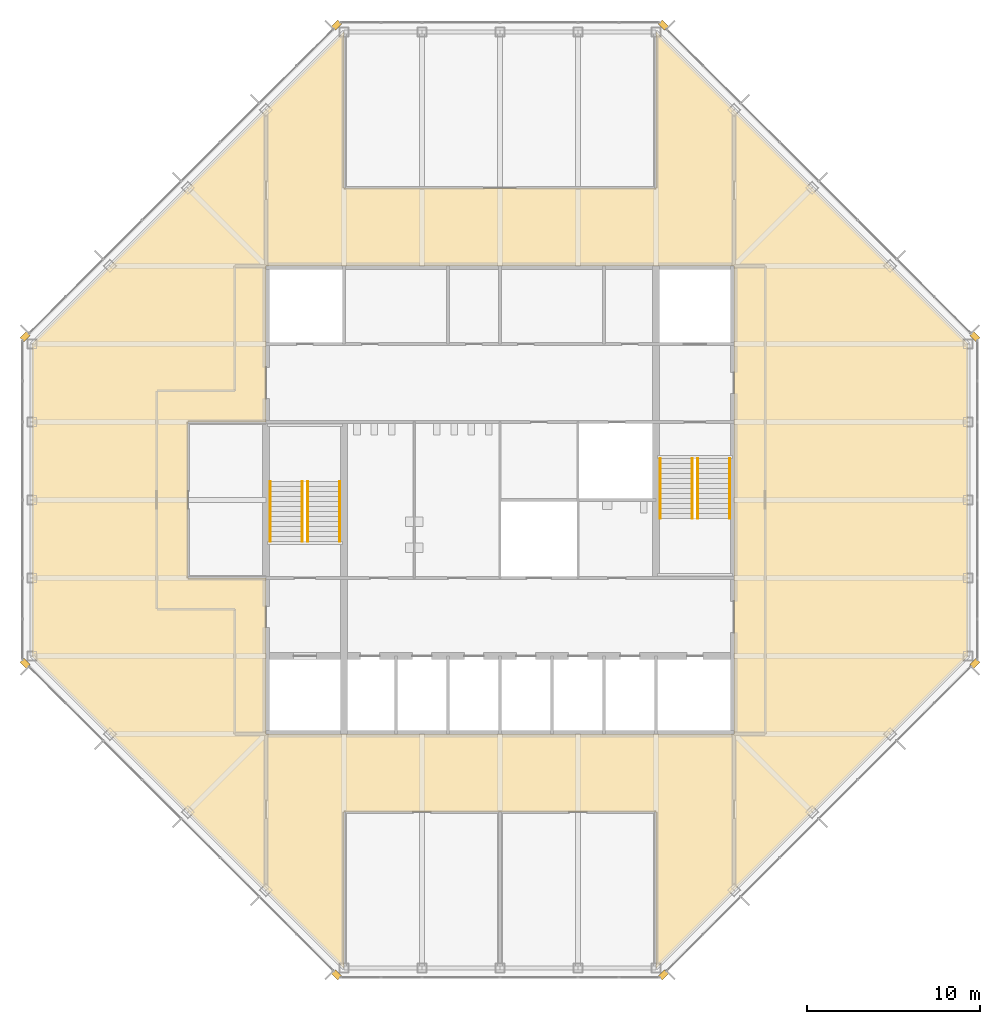
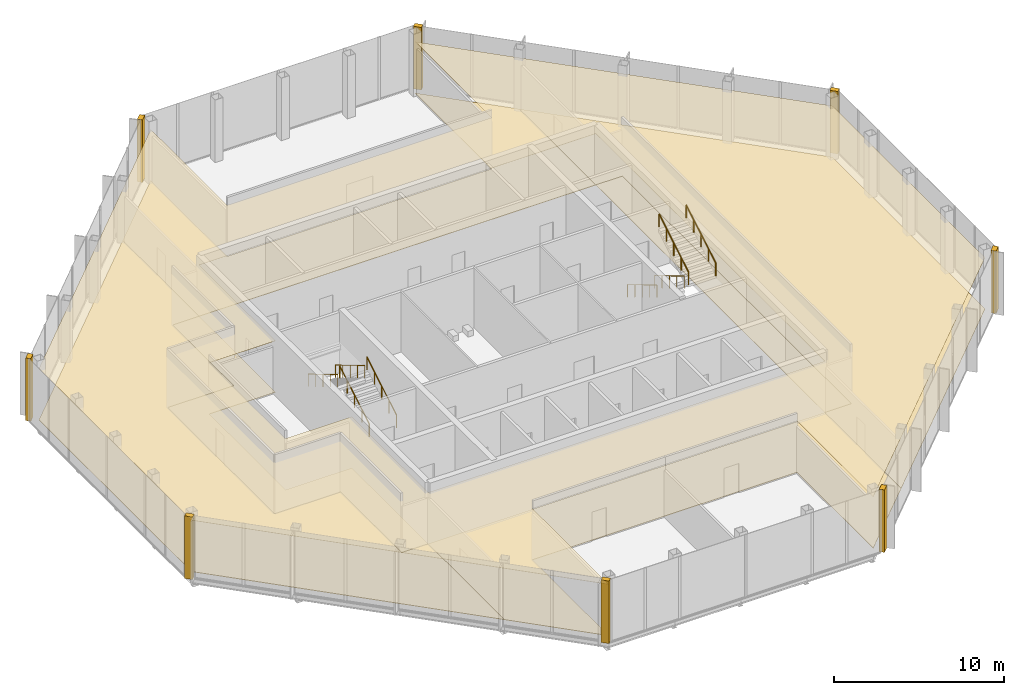
# One storey, part 12 of 13: 15 coverings, 8 railings.
"""IFC4 building model written with IfcOpenShell, lengths in metres."""

from ifc_helpers import new_model, si_unit, direction, frame, origin, origin_2d, place, context, subcontext, project, spatial, polyline, circle, outline, extrude, material, layer, layer_set, type_object, element, save


model = new_model("IFC4")

# Units and contexts
model_context = context("Model", 3, precision=1e-05, world=origin(), true_north=direction((0.0, 1.0)))
body_context = subcontext(model_context, "Body", "Model", "MODEL_VIEW")
ifc_project = project(units=[si_unit("LENGTHUNIT", "METRE"), si_unit("AREAUNIT", "SQUARE_METRE"), si_unit("VOLUMEUNIT", "CUBIC_METRE"), si_unit("PLANEANGLEUNIT", "RADIAN"), si_unit("MASSUNIT", "GRAM", prefix="KILO")], contexts=[model_context])

# Site, building, storey
site_placement = place(None, origin())
site = spatial("IfcSite", under=ifc_project, at=site_placement, CompositionType="ELEMENT")
building_placement = place(site_placement, origin())
building = spatial("IfcBuilding", under=site, at=building_placement, Name="Corais Broadcast Tower", CompositionType="ELEMENT")
storey_placement = place(building_placement, frame((0.0, 0.0, 310.60009765625)))
storey = spatial("IfcBuildingStorey", under=building, at=storey_placement, Name="L73", CompositionType="ELEMENT", Elevation=310.60009765625)

# Railings
ifc_material_1 = material(Name="Stainless steel handrail", Category="steel")
railing_type = type_object("IfcRailingType", Name="Handrail 920", PredefinedType="HANDRAIL", material=ifc_material_1)
for number, where, name in (
    (1, (17.75, 24.60009765625, 0.173095703125), "HR1 L73"),
    (2, (15.89990234375, 24.60009765625, 0.173095703125), "HR1 L73"),
):
    element("IfcRailing", number, at=place(storey_placement, frame(where)), inside=storey, type_object=railing_type, Name=name, PredefinedType="HANDRAIL", context=body_context, shape_type="SweptSolid", body=[
        extrude(circle(Radius=0.02392578125, at=origin_2d()), frame((0.0, 0.0, 0.89599609375), z_axis=(0.0, 0.857918952942, 0.513785042779), x_axis=(-1.0, 0.0, 0.0)), (0.0, 0.0, 1.0), 4.04248046875),
        extrude(circle(Radius=0.02099609375, at=origin_2d()), origin(), (0.0, 0.0, 1.0), 0.871826171875),
        extrude(circle(Radius=0.02099609375, at=origin_2d()), frame((0.0, 0.866943359375, 0.519287109375)), (0.0, 0.0, 1.0), 0.871826171875),
        extrude(circle(Radius=0.02099609375, at=origin_2d()), frame((0.0, 1.73388671875, 1.03857421875)), (0.0, 0.0, 1.0), 0.871826171875),
        extrude(circle(Radius=0.02099609375, at=origin_2d()), frame((0.0, 2.60107421875, 1.5576171875)), (0.0, 0.0, 1.0), 0.871826171875),
        extrude(circle(Radius=0.02099609375, at=origin_2d()), frame((0.0, 3.468017578125, 2.076904296875)), (0.0, 0.0, 1.0), 0.871826171875),
    ])
for number, where, name in (
    (3, (13.75, 28.068115234375, 2.423095703125), "HR1 L73"),
    (4, (15.60009765625, 28.068115234375, 2.423095703125), "HR1 L73"),
    (5, (36.25, 29.39990234375, 0.173095703125), "HR1 L73"),
    (6, (38.10009765625, 29.39990234375, 0.173095703125), "HR1 L73"),
):
    element("IfcRailing", number, at=place(storey_placement, frame(where)), inside=storey, type_object=railing_type, Name=name, PredefinedType="HANDRAIL", context=body_context, shape_type="SweptSolid", body=[
        extrude(circle(Radius=0.02392578125, at=origin_2d()), frame((0.0, 0.0, 0.89599609375), z_axis=(0.0, -0.857918952942, 0.513785042779), x_axis=(1.0, 0.0, 0.0)), (0.0, 0.0, 1.0), 4.04248046875),
        extrude(circle(Radius=0.02099609375, at=origin_2d()), origin(), (0.0, 0.0, 1.0), 0.871826171875),
        extrude(circle(Radius=0.02099609375, at=origin_2d()), frame((0.0, -0.866943359375, 0.519287109375)), (0.0, 0.0, 1.0), 0.871826171875),
        extrude(circle(Radius=0.02099609375, at=origin_2d()), frame((0.0, -1.73388671875, 1.03857421875)), (0.0, 0.0, 1.0), 0.871826171875),
        extrude(circle(Radius=0.02099609375, at=origin_2d()), frame((0.0, -2.60107421875, 1.5576171875)), (0.0, 0.0, 1.0), 0.871826171875),
        extrude(circle(Radius=0.02099609375, at=origin_2d()), frame((0.0, -3.468017578125, 2.076904296875)), (0.0, 0.0, 1.0), 0.871826171875),
    ])
for number, where, name in (
    (7, (40.25, 25.931884765625, 2.423095703125), "HR1 L73"),
    (8, (38.39990234375, 25.931884765625, 2.423095703125), "HR1 L73"),
):
    element("IfcRailing", number, at=place(storey_placement, frame(where)), inside=storey, type_object=railing_type, Name=name, PredefinedType="HANDRAIL", context=body_context, shape_type="SweptSolid", body=[
        extrude(circle(Radius=0.02392578125, at=origin_2d()), frame((0.0, 0.0, 0.89599609375), z_axis=(0.0, 0.857918952942, 0.513785042779), x_axis=(-1.0, 0.0, 0.0)), (0.0, 0.0, 1.0), 4.04248046875),
        extrude(circle(Radius=0.02099609375, at=origin_2d()), origin(), (0.0, 0.0, 1.0), 0.871826171875),
        extrude(circle(Radius=0.02099609375, at=origin_2d()), frame((0.0, 0.866943359375, 0.519287109375)), (0.0, 0.0, 1.0), 0.871826171875),
        extrude(circle(Radius=0.02099609375, at=origin_2d()), frame((0.0, 1.73388671875, 1.03857421875)), (0.0, 0.0, 1.0), 0.871826171875),
        extrude(circle(Radius=0.02099609375, at=origin_2d()), frame((0.0, 2.60107421875, 1.5576171875)), (0.0, 0.0, 1.0), 0.871826171875),
        extrude(circle(Radius=0.02099609375, at=origin_2d()), frame((0.0, 3.468017578125, 2.076904296875)), (0.0, 0.0, 1.0), 0.871826171875),
    ])

# Coverings
ifc_material_2 = material(Name="Granite stone cladding", Category="masonry")
ifc_layer_1 = layer(ifc_material_2, 0.324951171875)
ifc_layer_set_1 = layer_set([ifc_layer_1], Name="Granite stone cladding")
covering_type_1 = type_object("IfcCoveringType", Name="Stone corner pier cladding 500x325", PredefinedType="CLADDING", material=ifc_layer_set_1)
covering_1_placement = place(storey_placement, origin())
element("IfcCovering", 9, at=covering_1_placement, inside=storey, type_object=covering_type_1, Name="SP1 stone corner pier L73", PredefinedType="CLADDING", context=body_context, shape_type="SweptSolid", body=[
    extrude(outline(polyline([(17.860595703125, -0.461669921875), (17.507080078125, -0.108154296875), (17.277099609375, -0.337890625), (17.630859375, -0.69140625), (17.860595703125, -0.461669921875)])), origin(), (0.0, 0.0, 1.0), 4.5),
])
covering_2_placement = place(storey_placement, origin())
element("IfcCovering", 10, at=covering_2_placement, inside=storey, type_object=covering_type_1, Name="SP1 stone corner pier L73", PredefinedType="CLADDING", context=body_context, shape_type="SweptSolid", body=[
    extrude(outline(polyline([(-0.461669921875, 17.860595703125), (-0.69140625, 17.630859375), (-0.337890625, 17.277099609375), (-0.108154296875, 17.507080078125), (-0.461669921875, 17.860595703125)])), origin(), (0.0, 0.0, 1.0), 4.5),
])
covering_3_placement = place(storey_placement, origin())
element("IfcCovering", 11, at=covering_3_placement, inside=storey, type_object=covering_type_1, Name="SP1 stone corner pier L73", PredefinedType="CLADDING", context=body_context, shape_type="SweptSolid", body=[
    extrude(outline(polyline([(-0.461669921875, 36.139404296875), (-0.108154296875, 36.492919921875), (-0.337890625, 36.722900390625), (-0.69140625, 36.369140625), (-0.461669921875, 36.139404296875)])), origin(), (0.0, 0.0, 1.0), 4.5),
])
covering_4_placement = place(storey_placement, origin())
element("IfcCovering", 12, at=covering_4_placement, inside=storey, type_object=covering_type_1, Name="SP1 stone corner pier L73", PredefinedType="CLADDING", context=body_context, shape_type="SweptSolid", body=[
    extrude(outline(polyline([(17.860595703125, 54.461669921875), (17.630859375, 54.69140625), (17.277099609375, 54.337890625), (17.507080078125, 54.108154296875), (17.860595703125, 54.461669921875)])), origin(), (0.0, 0.0, 1.0), 4.5),
])
covering_5_placement = place(storey_placement, origin())
element("IfcCovering", 13, at=covering_5_placement, inside=storey, type_object=covering_type_1, Name="SP1 stone corner pier L73", PredefinedType="CLADDING", context=body_context, shape_type="SweptSolid", body=[
    extrude(outline(polyline([(36.139404296875, 54.461669921875), (36.492919921875, 54.108154296875), (36.722900390625, 54.337890625), (36.369140625, 54.69140625), (36.139404296875, 54.461669921875)])), origin(), (0.0, 0.0, 1.0), 4.5),
])
covering_6_placement = place(storey_placement, origin())
element("IfcCovering", 14, at=covering_6_placement, inside=storey, type_object=covering_type_1, Name="SP1 stone corner pier L73", PredefinedType="CLADDING", context=body_context, shape_type="SweptSolid", body=[
    extrude(outline(polyline([(54.461669921875, 36.139404296875), (54.69140625, 36.369140625), (54.337890625, 36.722900390625), (54.108154296875, 36.492919921875), (54.461669921875, 36.139404296875)])), origin(), (0.0, 0.0, 1.0), 4.5),
])
covering_7_placement = place(storey_placement, origin())
element("IfcCovering", 15, at=covering_7_placement, inside=storey, type_object=covering_type_1, Name="SP1 stone corner pier L73", PredefinedType="CLADDING", context=body_context, shape_type="SweptSolid", body=[
    extrude(outline(polyline([(54.461669921875, 17.860595703125), (54.108154296875, 17.507080078125), (54.337890625, 17.277099609375), (54.69140625, 17.630859375), (54.461669921875, 17.860595703125)])), origin(), (0.0, 0.0, 1.0), 4.5),
])
covering_8_placement = place(storey_placement, origin())
element("IfcCovering", 16, at=covering_8_placement, inside=storey, type_object=covering_type_1, Name="SP1 stone corner pier L73", PredefinedType="CLADDING", context=body_context, shape_type="SweptSolid", body=[
    extrude(outline(polyline([(36.139404296875, -0.461669921875), (36.369140625, -0.69140625), (36.722900390625, -0.337890625), (36.492919921875, -0.108154296875), (36.139404296875, -0.461669921875)])), origin(), (0.0, 0.0, 1.0), 4.5),
])
ifc_material_3 = material(Name="Granite stone flooring", Category="masonry")
ifc_layer_2 = layer(ifc_material_3, 0.030029296875)
ifc_layer_set_2 = layer_set([ifc_layer_2], Name="Granite stone flooring")
covering_type_2 = type_object("IfcCoveringType", Name="Stone floor finish", PredefinedType="FLOORING", material=ifc_layer_set_2)
covering_9_placement = place(storey_placement, origin())
element("IfcCovering", 17, at=covering_9_placement, inside=storey, type_object=covering_type_2, Name="FF1 floor finish L73", PredefinedType="FLOORING", context=body_context, shape_type="SweptSolid", body=[
    extrude(outline(polyline([(18.0, 45.0), (36.0, 45.0), (36.0, 54.0), (40.5, 49.5), (40.5, 40.5), (13.5, 40.5), (13.5, 49.5), (18.0, 54.0), (18.0, 45.0)])), origin(), (0.0, 0.0, 1.0), 0.02978515625),
])
covering_10_placement = place(storey_placement, origin())
element("IfcCovering", 18, at=covering_10_placement, inside=storey, type_object=covering_type_2, Name="FF1 floor finish L73", PredefinedType="FLOORING", context=body_context, shape_type="SweptSolid", body=[
    extrude(outline(polyline([(54.0, 36.0), (54.0, 18.0), (40.5, 4.5), (40.5, 13.5), (42.300048828125, 13.5), (42.300048828125, 40.5), (40.5, 40.5), (40.5, 49.5), (54.0, 36.0)])), origin(), (0.0, 0.0, 1.0), 0.02978515625),
])
covering_11_placement = place(storey_placement, origin())
element("IfcCovering", 19, at=covering_11_placement, inside=storey, type_object=covering_type_2, Name="FF1 floor finish L73", PredefinedType="FLOORING", context=body_context, shape_type="SweptSolid", body=[
    extrude(outline(polyline([(36.0, 0.0), (36.0, 9.0), (27.0, 9.0), (18.0, 9.0), (18.0, 0.0), (13.5, 4.5), (13.5, 13.5), (40.5, 13.5), (40.5, 4.5), (36.0, 0.0)])), origin(), (0.0, 0.0, 1.0), 0.02978515625),
])
covering_12_placement = place(storey_placement, origin())
element("IfcCovering", 20, at=covering_12_placement, inside=storey, type_object=covering_type_2, Name="FF1 floor finish L73", PredefinedType="FLOORING", context=body_context, shape_type="SweptSolid", body=[
    extrude(outline(polyline([(0.0, 18.0), (0.0, 36.0), (13.5, 49.5), (13.5, 40.5), (11.699951171875, 40.5), (11.699951171875, 33.300048828125), (7.199951171875, 33.300048828125), (7.199951171875, 20.699951171875), (11.699951171875, 20.699951171875), (11.699951171875, 13.5), (13.5, 13.5), (13.5, 4.5), (0.0, 18.0)])), origin(), (0.0, 0.0, 1.0), 0.02978515625),
])
covering_13_placement = place(storey_placement, origin())
element("IfcCovering", 21, at=covering_13_placement, inside=storey, type_object=covering_type_2, Name="FF1 floor finish L73", PredefinedType="FLOORING", context=body_context, shape_type="SweptSolid", body=[
    extrude(outline(polyline([(9.0, 31.5), (9.0, 22.5), (13.5, 22.5), (13.5, 13.5), (11.699951171875, 13.5), (11.699951171875, 20.699951171875), (7.199951171875, 20.699951171875), (7.199951171875, 33.300048828125), (11.699951171875, 33.300048828125), (11.699951171875, 40.5), (13.5, 40.5), (13.5, 31.5), (9.0, 31.5)])), origin(), (0.0, 0.0, 1.0), 0.02978515625),
])
covering_14_placement = place(storey_placement, origin())
element("IfcCovering", 22, at=covering_14_placement, inside=storey, type_object=covering_type_2, Name="FF1 floor finish L73", PredefinedType="FLOORING", context=body_context, shape_type="SweptSolid", body=[
    extrude(outline(polyline([(42.300048828125, 40.5), (42.300048828125, 13.5), (40.5, 13.5), (40.5, 40.5), (42.300048828125, 40.5)])), origin(), (0.0, 0.0, 1.0), 0.02978515625),
])
ifc_material_4 = material(Name="Mineral fibre ceiling tile", Category="mineral")
ifc_layer_3 = layer(ifc_material_4, 0.02001953125)
ifc_layer_set_3 = layer_set([ifc_layer_3], Name="Mineral fibre ceiling tile")
covering_type_3 = type_object("IfcCoveringType", Name="Suspended ceiling", PredefinedType="CEILING", material=ifc_layer_set_3)
covering_15_placement = place(storey_placement, frame((0.0, 0.0, 3.699951171875)))
element("IfcCovering", 23, at=covering_15_placement, inside=storey, type_object=covering_type_3, Name="CE1 ceiling L73", PredefinedType="CEILING", context=body_context, shape_type="SweptSolid", body=[
    extrude(outline(polyline([(13.5, 49.5), (18.0, 54.0), (18.0, 45.0), (36.0, 45.0), (36.0, 54.0), (54.0, 36.0), (54.0, 18.0), (40.500244140625, 4.500244140625), (40.498779296875, 4.498779296875), (40.498291015625, 4.498291015625), (36.0, 0.0), (36.0, 9.0), (18.0, 9.0), (18.0, 0.0), (13.501708984375, 4.498291015625), (13.499755859375, 4.500244140625), (0.0, 18.0), (0.0, 36.0), (13.5, 49.5)]), holes=[polyline([(13.5, 31.5), (9.0, 31.5), (9.0, 22.5), (13.5, 22.5), (13.5, 13.5), (40.5, 13.5), (40.5, 40.5), (13.5, 40.5), (13.5, 31.5)])]), origin(), (0.0, 0.0, 1.0), 0.02001953125),
])

save(model, "model.ifc")
